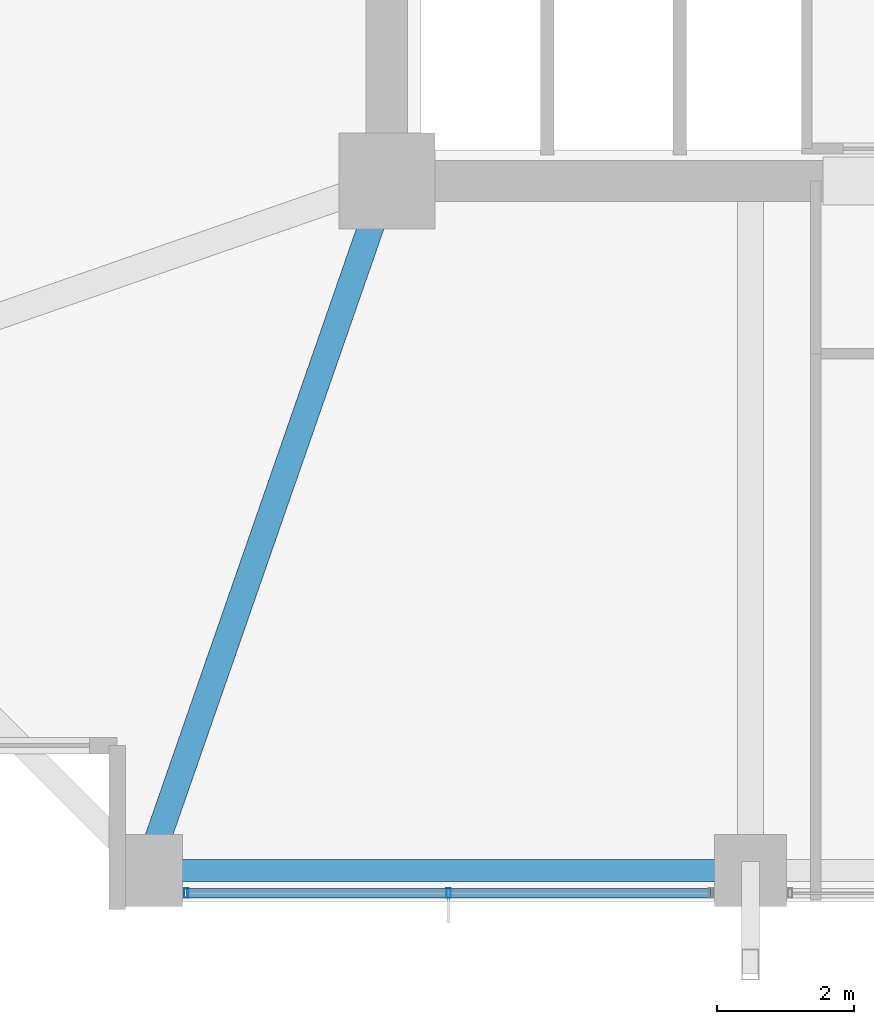
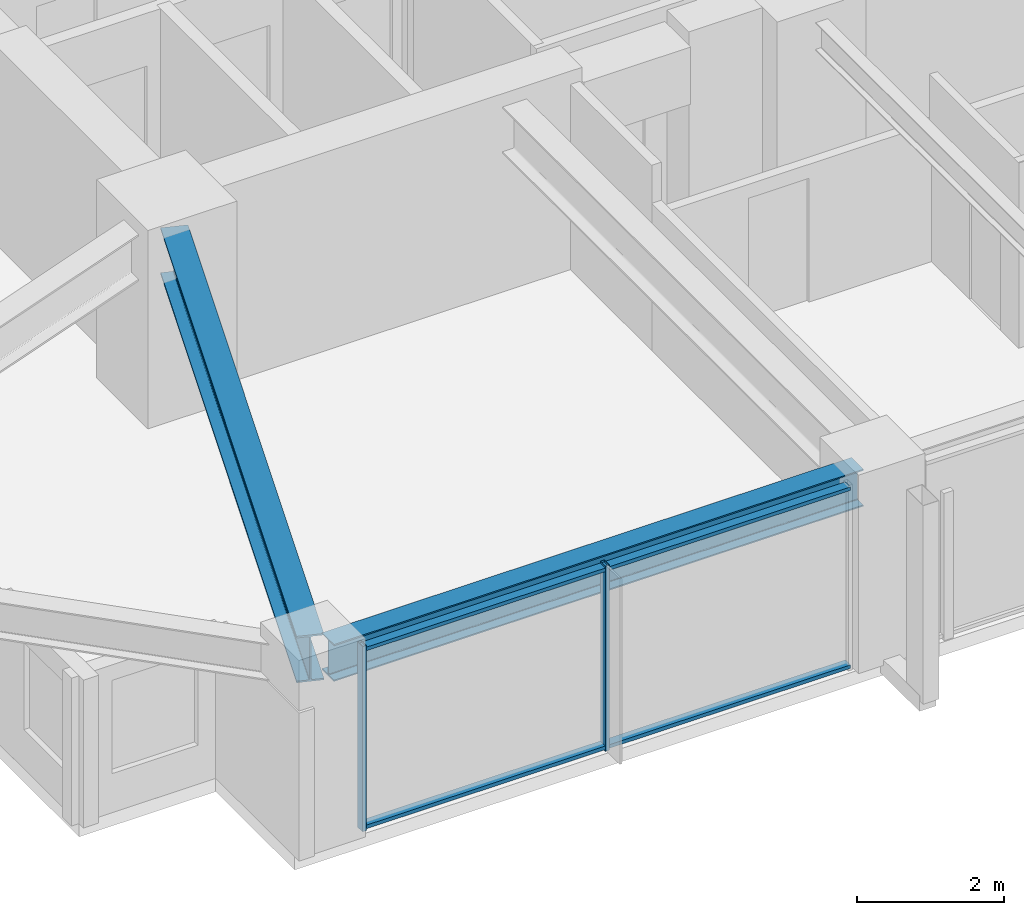
# One storey, part 2 of 37: 4 members, 2 beams, 1 element without a shape of its own.
"""IFC4 building model written with IfcOpenShell, lengths in metres."""

from ifc_helpers import new_model, si_unit, direction, frame, origin, origin_2d, place, context, subcontext, project, spatial, hollow_rectangle, i_section, extrude, material, material_profile, profile_set, type_object, element, aggregate, save


model = new_model("IFC4")

# Units and contexts
model_context = context("Model", 3, precision=1e-05, world=origin(), true_north=direction((0.0, 1.0)))
body_context = subcontext(model_context, "Body", "Model", "MODEL_VIEW")
ifc_project = project(units=[si_unit("LENGTHUNIT", "METRE"), si_unit("AREAUNIT", "SQUARE_METRE"), si_unit("VOLUMEUNIT", "CUBIC_METRE"), si_unit("PLANEANGLEUNIT", "RADIAN"), si_unit("MASSUNIT", "GRAM", prefix="KILO")], contexts=[model_context])

# Site, building, storey
site_placement = place(None, origin())
site = spatial("IfcSite", under=ifc_project, at=site_placement, CompositionType="ELEMENT")
building_placement = place(site_placement, origin())
building = spatial("IfcBuilding", under=site, at=building_placement, Name="Kolvaren Belvedere", CompositionType="ELEMENT")
storey_placement = place(building_placement, frame((0.0, 0.0, 82.10009765625)))
storey = spatial("IfcBuildingStorey", under=building, at=storey_placement, Name="L23", CompositionType="ELEMENT", Elevation=82.10009765625)

# Beams
ifc_material_1 = material(Name="Structural steel ASTM A992 Grade 50", Category="steel")
ifc_material_profile_1 = material_profile(ifc_material_1, i_section(OverallWidth=0.381103515625, OverallDepth=0.77294921875, WebThickness=0.0166015625, FlangeThickness=0.027099609375, FilletRadius=0.02392578125, at=origin_2d()), Name="W30X173")
ifc_profile_set_1 = profile_set([ifc_material_profile_1], Name="Structural steel ASTM A992 Grade 50")
beam_type_1 = type_object("IfcBeamType", Name="BM-GIRD-W30X173", PredefinedType="BEAM", material=ifc_profile_set_1)
beam_1_placement = place(storey_placement, frame((-10.080810546875, -10.41943359375, 2.693359375), z_axis=(-0.328880894453, -0.944371408538, 0.0), x_axis=(0.944371408538, -0.328880894453, 0.0)))
element("IfcBeam", 1, at=beam_1_placement, inside=storey, type_object=beam_type_1, Name="L23 Corner Core-to-Perimeter Girder CC1-S1", PredefinedType="BEAM", context=body_context, shape_type="SweptSolid", body=[
    extrude(i_section(OverallWidth=0.381103515625, OverallDepth=0.77294921875, WebThickness=0.0166015625, FlangeThickness=0.027099609375, FilletRadius=0.02392578125, at=origin_2d()), origin(), (0.0, 0.0, 1.0), 9.882080078125),
])
ifc_material_2 = material(Name="Structural steel ASTM A992 Grade 50", Category="steel")
ifc_material_profile_2 = material_profile(ifc_material_2, i_section(OverallWidth=0.324951171875, OverallDepth=0.615966796875, WebThickness=0.013916015625, FlangeThickness=0.021484375, FilletRadius=0.02001953125, at=origin_2d()), Name="W24X117")
ifc_profile_set_2 = profile_set([ifc_material_profile_2], Name="Structural steel ASTM A992 Grade 50")
beam_type_2 = type_object("IfcBeamType", Name="BM-SPAN-W24X117", PredefinedType="SPANDREL", material=ifc_profile_set_2)
beam_2_placement = place(storey_placement, frame((-13.163818359375, -19.949951171875, 2.77197265625), z_axis=(1.0, 0.0, 0.0), x_axis=(0.0, 1.0, 0.0)))
element("IfcBeam", 2, at=beam_2_placement, inside=storey, type_object=beam_type_2, Name="L23 Perimeter Spandrel S1-S2", PredefinedType="SPANDREL", context=body_context, shape_type="SweptSolid", body=[
    extrude(i_section(OverallWidth=0.324951171875, OverallDepth=0.615966796875, WebThickness=0.013916015625, FlangeThickness=0.021484375, FilletRadius=0.02001953125, at=origin_2d()), origin(), (0.0, 0.0, 1.0), 8.32763671875),
])

# Curtain wall, members
ifc_material_3 = material(Name="Anodised pale-metal aluminium AA 6063-T6", Category="aluminium")
curtain_wall_type = type_object("IfcCurtainWallType", Name="CW-Z2-MID", PredefinedType="NOTDEFINED", material=ifc_material_3)
curtain_wall_placement = place(storey_placement, origin())
curtain_wall = element("IfcCurtainWall", 3, at=curtain_wall_placement, inside=storey, type_object=curtain_wall_type, Name="L23 Unitised Curtain Wall FCW-L23-S-B3", PredefinedType="NOTDEFINED")
ifc_material_4 = material(Name="Anodised pale-metal aluminium AA 6063-T6", Category="aluminium")
ifc_material_profile_3 = material_profile(ifc_material_4, hollow_rectangle(XDim=0.06494140625, YDim=0.139892578125, WallThickness=0.00390625, at=origin_2d()), Name="ALU-MUL-140X65")
ifc_profile_set_3 = profile_set([ifc_material_profile_3], Name="Anodised pale-metal aluminium AA 6063-T6")
member_type_1 = type_object("IfcMemberType", Name="CW-MUL-140", PredefinedType="MULLION", material=ifc_profile_set_3)
member_1_placement = place(storey_placement, frame((-9.0, -20.280029296875, 0.0), z_axis=(0.0, 0.0, 1.0), x_axis=(1.0, 0.0, 0.0)))
member_1 = element("IfcMember", 4, at=member_1_placement, type_object=member_type_1, Name="FCW-L23-S-B3 Unitised Mullion 2", PredefinedType="MULLION", context=body_context, shape_type="SweptSolid", body=[
    extrude(hollow_rectangle(XDim=0.06494140625, YDim=0.139892578125, WallThickness=0.00390625, at=origin_2d()), origin(), (0.0, 0.0, 1.0), 3.079833984375),
])
member_2_placement = place(storey_placement, frame((-12.822509765625, -20.280029296875, 0.0), z_axis=(0.0, 0.0, 1.0), x_axis=(1.0, 0.0, 0.0)))
member_2 = element("IfcMember", 5, at=member_2_placement, type_object=member_type_1, Name="FCW-L23-S-B3 Unitised Mullion 3", PredefinedType="MULLION", context=body_context, shape_type="SweptSolid", body=[
    extrude(hollow_rectangle(XDim=0.06494140625, YDim=0.139892578125, WallThickness=0.00390625, at=origin_2d()), origin(), (0.0, 0.0, 1.0), 3.079833984375),
])
ifc_material_5 = material(Name="Anodised pale-metal aluminium AA 6063-T6", Category="aluminium")
ifc_material_profile_4 = material_profile(ifc_material_5, hollow_rectangle(XDim=0.06005859375, YDim=0.139892578125, WallThickness=0.00390625, at=origin_2d()), Name="ALU-TRN-140X60")
ifc_profile_set_4 = profile_set([ifc_material_profile_4], Name="Anodised pale-metal aluminium AA 6063-T6")
member_type_2 = type_object("IfcMemberType", Name="CW-TRN-140", PredefinedType="USERDEFINED", material=ifc_profile_set_4)
member_3_placement = place(storey_placement, frame((-5.177490234375, -20.280029296875, 0.059814453125), z_axis=(-1.0, 0.0, 0.0), x_axis=(0.0, 0.0, 1.0)))
member_3 = element("IfcMember", 6, at=member_3_placement, type_object=member_type_2, Name="FCW-L23-S-B3 Sill Transom", ObjectType="TRANSOM", PredefinedType="USERDEFINED", context=body_context, shape_type="SweptSolid", body=[
    extrude(hollow_rectangle(XDim=0.06005859375, YDim=0.139892578125, WallThickness=0.00390625, at=origin_2d()), origin(), (0.0, 0.0, 1.0), 7.64501953125),
])
member_4_placement = place(storey_placement, frame((-5.177490234375, -20.280029296875, 3.02001953125), z_axis=(-1.0, 0.0, 0.0), x_axis=(0.0, 0.0, 1.0)))
member_4 = element("IfcMember", 7, at=member_4_placement, type_object=member_type_2, Name="FCW-L23-S-B3 Head Transom", ObjectType="TRANSOM", PredefinedType="USERDEFINED", context=body_context, shape_type="SweptSolid", body=[
    extrude(hollow_rectangle(XDim=0.06005859375, YDim=0.139892578125, WallThickness=0.00390625, at=origin_2d()), origin(), (0.0, 0.0, 1.0), 7.64501953125),
])
aggregate(curtain_wall, [member_1, member_2, member_3, member_4])

save(model, "model.ifc")
